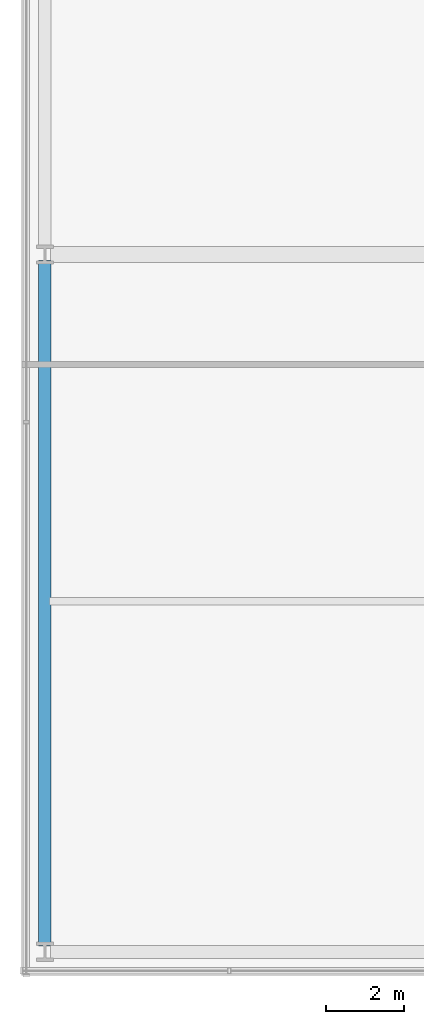
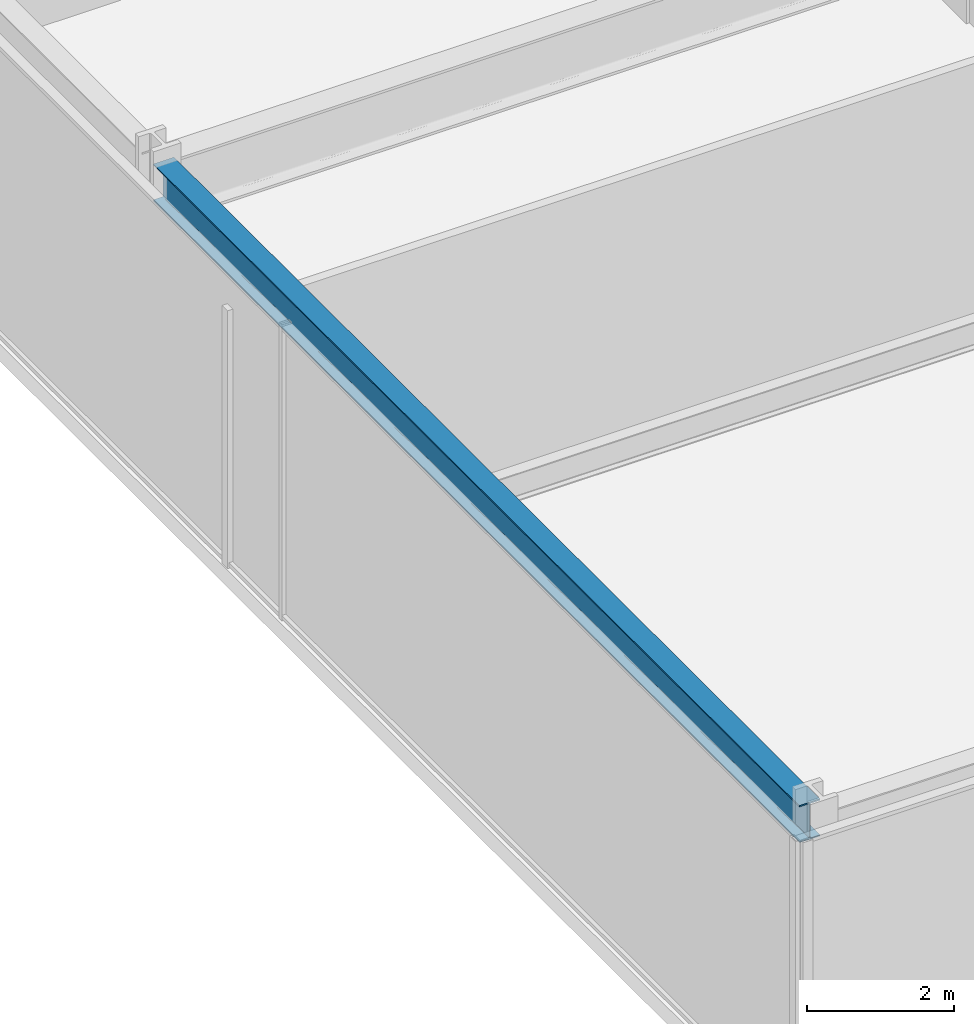
# One storey, part 5 of 49: 1 beam.
"""IFC4 building model written with IfcOpenShell, lengths in metres."""

from ifc_helpers import new_model, si_unit, direction, frame, origin, origin_2d, place, context, subcontext, project, spatial, i_section, extrude, material, material_profile, profile_set, type_object, element, save


model = new_model("IFC4")

# Units and contexts
model_context = context("Model", 3, precision=1e-05, world=origin(), true_north=direction((0.0, 1.0)))
body_context = subcontext(model_context, "Body", "Model", "MODEL_VIEW")
ifc_project = project(units=[si_unit("LENGTHUNIT", "METRE"), si_unit("AREAUNIT", "SQUARE_METRE"), si_unit("VOLUMEUNIT", "CUBIC_METRE"), si_unit("PLANEANGLEUNIT", "RADIAN"), si_unit("MASSUNIT", "GRAM", prefix="KILO")], contexts=[model_context])

# Site, building, storey
site_placement = place(None, origin())
site = spatial("IfcSite", under=ifc_project, at=site_placement, CompositionType="ELEMENT")
building_placement = place(site_placement, origin())
building = spatial("IfcBuilding", under=site, at=building_placement, Name="Kolvaren Belvedere", CompositionType="ELEMENT")
storey_placement = place(building_placement, frame((0.0, 0.0, 10.0)))
storey = spatial("IfcBuildingStorey", under=building, at=storey_placement, Name="L03", CompositionType="ELEMENT", Elevation=10.0)

# Beam
ifc_material = material(Name="Structural steel ASTM A992 Grade 50", Category="steel")
ifc_material_profile = material_profile(ifc_material, i_section(OverallWidth=0.324951171875, OverallDepth=0.615966796875, WebThickness=0.013916015625, FlangeThickness=0.021484375, FilletRadius=0.02001953125, at=origin_2d()), Name="W24X117")
ifc_profile_set = profile_set([ifc_material_profile], Name="Structural steel ASTM A992 Grade 50")
beam_type = type_object("IfcBeamType", Name="BM-SPAN-W24X117", PredefinedType="SPANDREL", material=ifc_profile_set)
beam_placement = place(storey_placement, frame((-27.39990234375, -27.64990234375, 4.612060546875), z_axis=(0.0, 1.0, 0.0), x_axis=(-1.0, 0.0, 0.0)))
element("IfcBeam", 1, at=beam_placement, inside=storey, type_object=beam_type, Name="L03 W Podium Spandrel 1", PredefinedType="SPANDREL", context=body_context, shape_type="SweptSolid", body=[
    extrude(i_section(OverallWidth=0.324951171875, OverallDepth=0.615966796875, WebThickness=0.013916015625, FlangeThickness=0.021484375, FilletRadius=0.02001953125, at=origin_2d()), origin(), (0.0, 0.0, 1.0), 17.599853515625),
])

save(model, "model.ifc")
